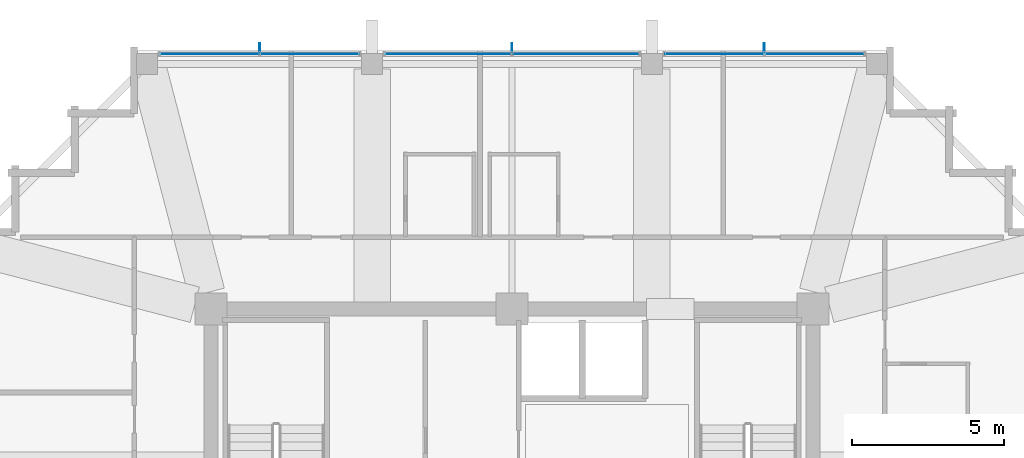
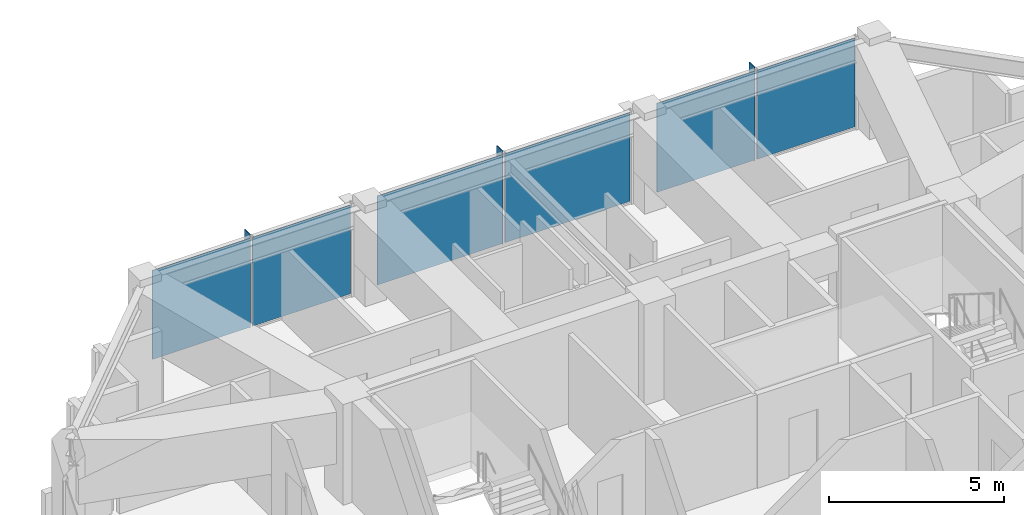
# One storey, part 24 of 31: 9 plates, 3 elements without a shape of their own.
"""IFC4 building model written with IfcOpenShell, lengths in metres."""

from ifc_helpers import new_model, si_unit, direction, frame, origin, origin_2d, place, context, subcontext, project, spatial, rectangle, extrude, material, layer, layer_set, type_object, element, aggregate, save


model = new_model("IFC4")

# Units and contexts
model_context = context("Model", 3, precision=1e-05, world=origin(), true_north=direction((0.0, 1.0)))
body_context = subcontext(model_context, "Body", "Model", "MODEL_VIEW")
ifc_project = project(units=[si_unit("LENGTHUNIT", "METRE"), si_unit("AREAUNIT", "SQUARE_METRE"), si_unit("VOLUMEUNIT", "CUBIC_METRE"), si_unit("PLANEANGLEUNIT", "RADIAN"), si_unit("MASSUNIT", "GRAM", prefix="KILO")], contexts=[model_context])

# Site, building, storey
site_placement = place(None, origin())
site = spatial("IfcSite", under=ifc_project, at=site_placement, CompositionType="ELEMENT")
building_placement = place(site_placement, origin())
building = spatial("IfcBuilding", under=site, at=building_placement, Name="Kolvaren Belvedere", CompositionType="ELEMENT")
storey_placement = place(building_placement, frame((0.0, 0.0, 237.39990234375)))
storey = spatial("IfcBuildingStorey", under=building, at=storey_placement, Name="L69", CompositionType="ELEMENT", Elevation=237.39990234375)

# Curtain wall, plates
ifc_material_1 = material(Name="Anodised pale-metal aluminium AA 6063-T6", Category="aluminium")
curtain_wall_type = type_object("IfcCurtainWallType", Name="CW-Z5-HIGH", PredefinedType="NOTDEFINED", material=ifc_material_1)
curtain_wall_1_placement = place(storey_placement, origin())
curtain_wall_1 = element("IfcCurtainWall", 1, at=curtain_wall_1_placement, inside=storey, type_object=curtain_wall_type, Name="L69 Unitised Curtain Wall FCW-L69-N-B1", PredefinedType="NOTDEFINED")
ifc_material_2 = material(Name="Low-iron triple insulated glass", Category="glass")
ifc_layer_1 = layer(ifc_material_2, 0.028076171875)
ifc_layer_set_1 = layer_set([ifc_layer_1], Name="Low-iron triple insulated glass")
plate_type_1 = type_object("IfcPlateType", Name="CW-PNL-VIS28", PredefinedType="CURTAIN_PANEL", material=ifc_layer_set_1)
plate_1_placement = place(storey_placement, frame((-9.947509765625, 18.280029296875, 0.080078125), z_axis=(0.0, 0.0, 1.0), x_axis=(1.0, 0.0, 0.0)))
plate_1 = element("IfcPlate", 2, at=plate_1_placement, type_object=plate_type_1, Name="FCW-L69-N-B1 Vision Glazing Panel 1", PredefinedType="CURTAIN_PANEL", context=body_context, shape_type="SweptSolid", body=[
    extrude(rectangle(XDim=3.215087890625, YDim=0.028076171875, at=origin_2d()), origin(), (0.0, 0.0, 1.0), 3.090087890625),
])
plate_2_placement = place(storey_placement, frame((-6.652587890625, 18.280029296875, 0.080078125), z_axis=(0.0, 0.0, 1.0), x_axis=(1.0, 0.0, 0.0)))
plate_2 = element("IfcPlate", 3, at=plate_2_placement, type_object=plate_type_1, Name="FCW-L69-N-B1 Vision Glazing Panel 2", PredefinedType="CURTAIN_PANEL", context=body_context, shape_type="SweptSolid", body=[
    extrude(rectangle(XDim=3.215087890625, YDim=0.028076171875, at=origin_2d()), origin(), (0.0, 0.0, 1.0), 3.090087890625),
])
aggregate(curtain_wall_1, [plate_1, plate_2])

curtain_wall_2_placement = place(storey_placement, origin())
curtain_wall_2 = element("IfcCurtainWall", 4, at=curtain_wall_2_placement, inside=storey, type_object=curtain_wall_type, Name="L69 Unitised Curtain Wall FCW-L69-N-B2", PredefinedType="NOTDEFINED")
plate_3_placement = place(storey_placement, frame((-2.097412109375, 18.280029296875, 0.080078125), z_axis=(0.0, 0.0, 1.0), x_axis=(1.0, 0.0, 0.0)))
plate_3 = element("IfcPlate", 5, at=plate_3_placement, type_object=plate_type_1, Name="FCW-L69-N-B2 Vision Glazing Panel 1", PredefinedType="CURTAIN_PANEL", context=body_context, shape_type="SweptSolid", body=[
    extrude(rectangle(XDim=4.114990234375, YDim=0.028076171875, at=origin_2d()), origin(), (0.0, 0.0, 1.0), 3.090087890625),
])
plate_4_placement = place(storey_placement, frame((2.097412109375, 18.280029296875, 0.080078125), z_axis=(0.0, 0.0, 1.0), x_axis=(1.0, 0.0, 0.0)))
plate_4 = element("IfcPlate", 6, at=plate_4_placement, type_object=plate_type_1, Name="FCW-L69-N-B2 Vision Glazing Panel 2", PredefinedType="CURTAIN_PANEL", context=body_context, shape_type="SweptSolid", body=[
    extrude(rectangle(XDim=4.114990234375, YDim=0.028076171875, at=origin_2d()), origin(), (0.0, 0.0, 1.0), 3.090087890625),
])
aggregate(curtain_wall_2, [plate_3, plate_4])

curtain_wall_3_placement = place(storey_placement, origin())
curtain_wall_3 = element("IfcCurtainWall", 7, at=curtain_wall_3_placement, inside=storey, type_object=curtain_wall_type, Name="L69 Unitised Curtain Wall FCW-L69-N-B3", PredefinedType="NOTDEFINED")
plate_5_placement = place(storey_placement, frame((6.652587890625, 18.280029296875, 0.080078125), z_axis=(0.0, 0.0, 1.0), x_axis=(1.0, 0.0, 0.0)))
plate_5 = element("IfcPlate", 8, at=plate_5_placement, type_object=plate_type_1, Name="FCW-L69-N-B3 Vision Glazing Panel 1", PredefinedType="CURTAIN_PANEL", context=body_context, shape_type="SweptSolid", body=[
    extrude(rectangle(XDim=3.215087890625, YDim=0.028076171875, at=origin_2d()), origin(), (0.0, 0.0, 1.0), 3.090087890625),
])
plate_6_placement = place(storey_placement, frame((9.947509765625, 18.280029296875, 0.080078125), z_axis=(0.0, 0.0, 1.0), x_axis=(1.0, 0.0, 0.0)))
plate_6 = element("IfcPlate", 9, at=plate_6_placement, type_object=plate_type_1, Name="FCW-L69-N-B3 Vision Glazing Panel 2", PredefinedType="CURTAIN_PANEL", context=body_context, shape_type="SweptSolid", body=[
    extrude(rectangle(XDim=3.215087890625, YDim=0.028076171875, at=origin_2d()), origin(), (0.0, 0.0, 1.0), 3.090087890625),
])
aggregate(curtain_wall_3, [plate_5, plate_6])

# Plates
ifc_material_3 = material(Name="Anodised pale-metal aluminium AA 6063-T6", Category="aluminium")
ifc_layer_2 = layer(ifc_material_3, 0.030029296875)
ifc_layer_set_2 = layer_set([ifc_layer_2], Name="Anodised pale-metal aluminium AA 6063-T6")
plate_type_2 = type_object("IfcPlateType", Name="FIN-VERT-300", PredefinedType="USERDEFINED", material=ifc_layer_set_2)
for number, where, z_axis, x_axis, name in (
    (10, (-8.300048828125, 18.489990234375, 0.0), (0.0, 0.0, 1.0), (0.0, 1.0, 0.0), "L69 Pale-Metal Vertical Shading Fin FCW-L69-N-B1-1"),
    (11, (0.0, 18.489990234375, 0.0), (0.0, 0.0, 1.0), (0.0, 1.0, 0.0), "L69 Pale-Metal Vertical Shading Fin FCW-L69-N-B2-1"),
    (12, (8.300048828125, 18.489990234375, 0.0), (0.0, 0.0, 1.0), (0.0, 1.0, 0.0), "L69 Pale-Metal Vertical Shading Fin FCW-L69-N-B3-1"),
):
    element("IfcPlate", number, at=place(storey_placement, frame(where, z_axis=z_axis, x_axis=x_axis)), inside=storey, type_object=plate_type_2, Name=name, ObjectType="VERTICAL FIN", PredefinedType="USERDEFINED", context=body_context, shape_type="SweptSolid", body=[
        extrude(rectangle(XDim=0.300048828125, YDim=0.030029296875, at=origin_2d()), origin(), (0.0, 0.0, 1.0), 3.25),
    ])

save(model, "model.ifc")
